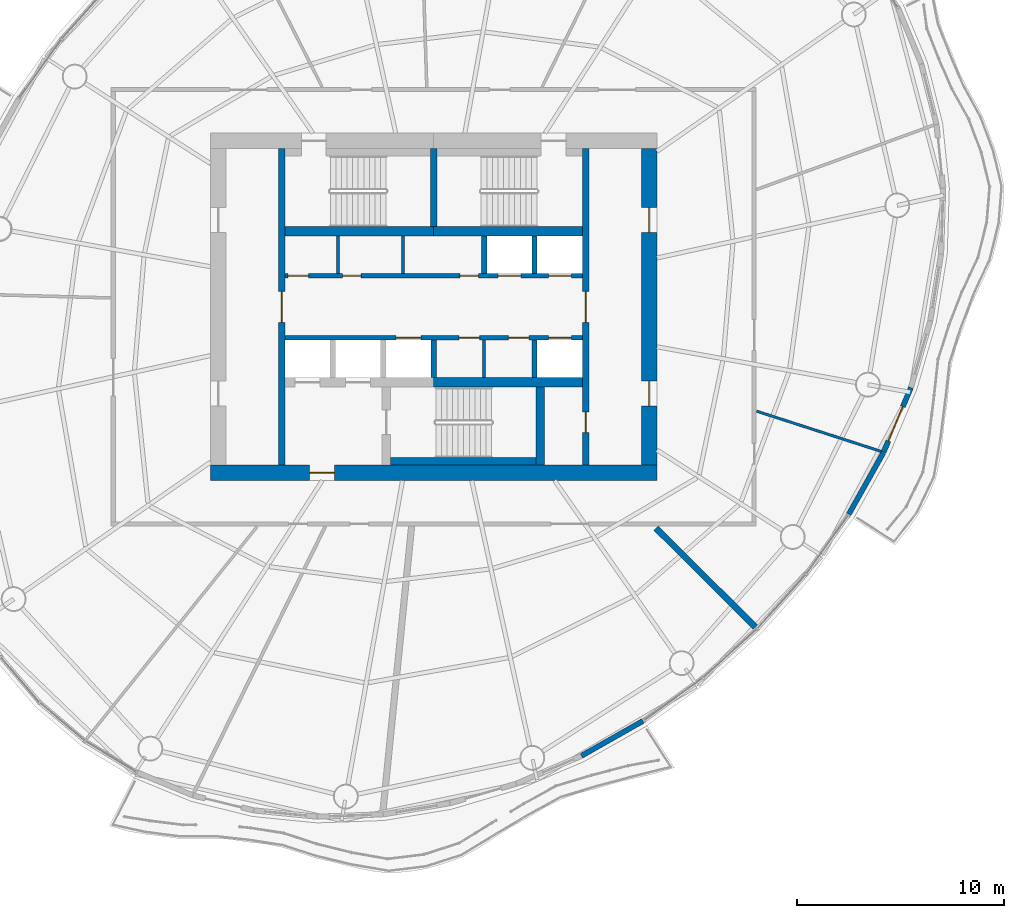
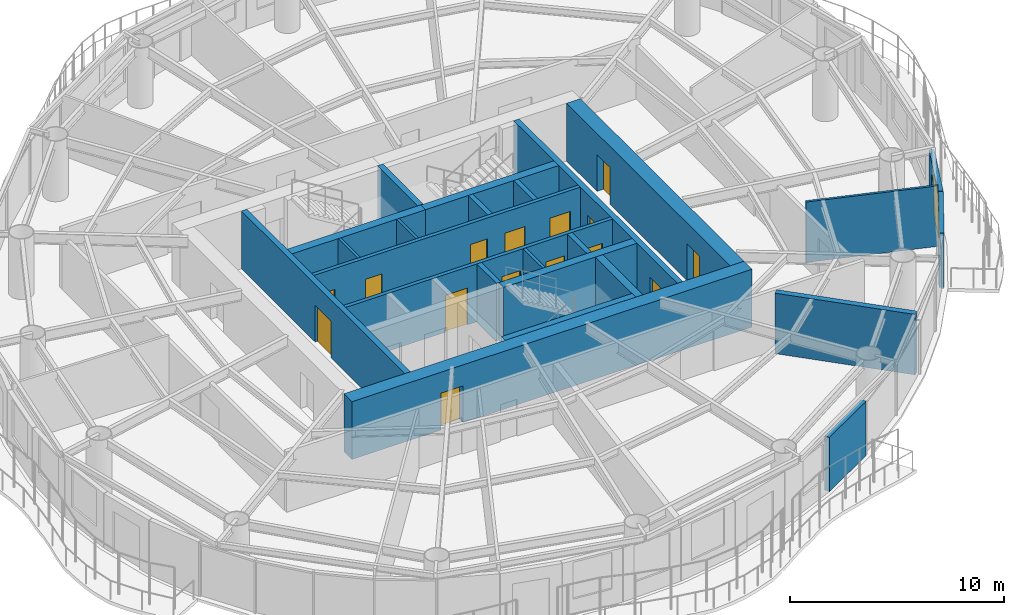
# One storey, part 9 of 14: 24 walls, 16 doors, 16 openings.
"""IFC4 building model written with IfcOpenShell, lengths in metres."""

from ifc_helpers import new_model, si_unit, direction, frame, frame_2d, origin, place, context, subcontext, project, spatial, rectangle, extrude, material, layer, layer_set, type_object, element, fill, save


model = new_model("IFC4")

# Units and contexts
model_context = context("Model", 3, precision=1e-05, world=origin(), true_north=direction((0.0, 1.0)))
body_context = subcontext(model_context, "Body", "Model", "MODEL_VIEW")
ifc_project = project(units=[si_unit("LENGTHUNIT", "METRE"), si_unit("AREAUNIT", "SQUARE_METRE"), si_unit("VOLUMEUNIT", "CUBIC_METRE"), si_unit("PLANEANGLEUNIT", "RADIAN"), si_unit("MASSUNIT", "GRAM", prefix="KILO")], contexts=[model_context])

# Site, building, storey
site_placement = place(None, origin())
site = spatial("IfcSite", under=ifc_project, at=site_placement, CompositionType="ELEMENT")
building_placement = place(site_placement, origin())
building = spatial("IfcBuilding", under=site, at=building_placement, Name="Vermilion Reach Broadcast Tower", CompositionType="ELEMENT")
storey_placement = place(building_placement, frame((0.0, 0.0, 213.699951171875)))
storey = spatial("IfcBuildingStorey", under=building, at=storey_placement, Name="L52", CompositionType="ELEMENT", Elevation=213.699951171875)

# Wall, opening, door
ifc_material_1 = material(Name="Concrete C60", Category="concrete")
ifc_layer_1 = layer(ifc_material_1, 0.300048828125)
ifc_layer_set_1 = layer_set([ifc_layer_1], Name="Core inner wall 300 mm Concrete C60")
wall_type_1 = type_object("IfcWallType", Name="Core inner wall 300 mm Concrete C60", PredefinedType="SHEAR", material=ifc_layer_set_1)
wall_1_placement = place(storey_placement, frame((-13.35009765625, 7.64990234375, 0.0), z_axis=(0.0, 0.0, 1.0), x_axis=(0.0, -1.0, 0.0)))
wall_1 = element("IfcWall", 1, at=wall_1_placement, inside=storey, type_object=wall_type_1, Name="L52 core wall ewW", PredefinedType="SHEAR", context=body_context, shape_type="SweptSolid", body=[
    extrude(rectangle(XDim=15.2998046875, YDim=0.300048828125, at=frame_2d((7.64990234375, 0.0))), origin(), (0.0, 0.0, 1.0), 3.300048828125),
])
opening_1_placement = place(wall_1_placement, frame((6.89990234375, 0.0, 0.0)))
opening_1 = element("IfcOpeningElement", 2, at=opening_1_placement, cuts=wall_1, Name="Opening D04", PredefinedType="OPENING", context=body_context, shape_type="SweptSolid", body=[
    extrude(rectangle(XDim=1.5, YDim=2.10009765625, at=frame_2d((0.75, 1.050048828125))), frame((0.0, 0.159912109375, 0.0), z_axis=(0.0, -1.0, 0.0), x_axis=(1.0, 0.0, 0.0)), (0.0, 0.0, 1.0), 0.320068359375),
])
ifc_material_2 = material(Name="Painted steel fire door", Category="steel")
door_type_1 = type_object("IfcDoorType", Name="Lift lobby door 1500 x 2100", OperationType="DOUBLE_DOOR_SINGLE_SWING", PredefinedType="NOTDEFINED", material=ifc_material_2)
door_1_placement = place(opening_1_placement, origin())
door_1 = element("IfcDoor", 3, at=door_1_placement, inside=storey, type_object=door_type_1, Name="L52 band door BW", OperationType="DOUBLE_DOOR_SINGLE_SWING", OverallHeight=2.10009765625, OverallWidth=1.5, PredefinedType="NOTDEFINED", context=body_context, shape_type="SweptSolid", body=[
    extrude(rectangle(XDim=1.5, YDim=2.10009765625, at=frame_2d((0.75, 1.050048828125))), frame((0.0, 0.02490234375, 0.0), z_axis=(0.0, -1.0, 0.0), x_axis=(1.0, 0.0, 0.0)), (0.0, 0.0, 1.0), 0.050048828125),
])
fill(opening_1, door_1)

# Wall, openings, doors
wall_2_placement = place(storey_placement, frame((1.35009765625, -7.64990234375, 0.0), z_axis=(0.0, 0.0, 1.0), x_axis=(0.0, 1.0, 0.0)))
wall_2 = element("IfcWall", 4, at=wall_2_placement, inside=storey, type_object=wall_type_1, Name="L52 core wall ewE", PredefinedType="SHEAR", context=body_context, shape_type="SweptSolid", body=[
    extrude(rectangle(XDim=15.2998046875, YDim=0.300048828125, at=frame_2d((7.64990234375, 0.0))), origin(), (0.0, 0.0, 1.0), 3.300048828125),
])
opening_2_placement = place(wall_2_placement, frame((1.56005859375, 0.0, 0.0)))
opening_2 = element("IfcOpeningElement", 5, at=opening_2_placement, cuts=wall_2, Name="Opening D05", PredefinedType="OPENING", context=body_context, shape_type="SweptSolid", body=[
    extrude(rectangle(XDim=1.0, YDim=2.10009765625, at=frame_2d((0.5, 1.050048828125))), frame((0.0, 0.159912109375, 0.0), z_axis=(0.0, -1.0, 0.0), x_axis=(1.0, 0.0, 0.0)), (0.0, 0.0, 1.0), 0.320068359375),
])
opening_3_placement = place(wall_2_placement, frame((6.89990234375, 0.0, 0.0)))
opening_3 = element("IfcOpeningElement", 6, at=opening_3_placement, cuts=wall_2, Name="Opening D04", PredefinedType="OPENING", context=body_context, shape_type="SweptSolid", body=[
    extrude(rectangle(XDim=1.5, YDim=2.10009765625, at=frame_2d((0.75, 1.050048828125))), frame((0.0, 0.159912109375, 0.0), z_axis=(0.0, -1.0, 0.0), x_axis=(1.0, 0.0, 0.0)), (0.0, 0.0, 1.0), 0.320068359375),
])
door_2_placement = place(opening_3_placement, origin())
door_2 = element("IfcDoor", 7, at=door_2_placement, inside=storey, type_object=door_type_1, Name="L52 band door BE", OperationType="DOUBLE_DOOR_SINGLE_SWING", OverallHeight=2.10009765625, OverallWidth=1.5, PredefinedType="NOTDEFINED", context=body_context, shape_type="SweptSolid", body=[
    extrude(rectangle(XDim=1.5, YDim=2.10009765625, at=frame_2d((0.75, 1.050048828125))), frame((0.0, 0.02490234375, 0.0), z_axis=(0.0, -1.0, 0.0), x_axis=(1.0, 0.0, 0.0)), (0.0, 0.0, 1.0), 0.050048828125),
])
fill(opening_3, door_2)
ifc_material_3 = material(Name="Timber door", Category="wood")
door_type_2 = type_object("IfcDoorType", Name="Room door 1000 x 2100", OperationType="NOTDEFINED", PredefinedType="NOTDEFINED", material=ifc_material_3)
door_3_placement = place(opening_2_placement, origin())
door_3 = element("IfcDoor", 8, at=door_3_placement, inside=storey, type_object=door_type_2, Name="L52 door SER", OperationType="SINGLE_SWING_LEFT", OverallHeight=2.10009765625, OverallWidth=1.0, PredefinedType="NOTDEFINED", context=body_context, shape_type="SweptSolid", body=[
    extrude(rectangle(XDim=1.0, YDim=2.10009765625, at=frame_2d((0.5, 1.050048828125))), frame((0.0, 0.02490234375, 0.0), z_axis=(0.0, -1.0, 0.0), x_axis=(1.0, 0.0, 0.0)), (0.0, 0.0, 1.0), 0.050048828125),
])
fill(opening_2, door_3)

# Walls
wall_3_placement = place(storey_placement, frame((-6.0, 3.8798828125, 0.0), z_axis=(0.0, 0.0, 1.0), x_axis=(0.0, 1.0, 0.0)))
element("IfcWall", 9, at=wall_3_placement, inside=storey, type_object=wall_type_1, Name="L52 core wall wc", PredefinedType="SHEAR", context=body_context, shape_type="SweptSolid", body=[
    extrude(rectangle(XDim=3.77001953125, YDim=0.300048828125, at=frame_2d((1.885009765625, 0.0))), origin(), (0.0, 0.0, 1.0), 3.300048828125),
])
ifc_material_4 = material(Name="Concrete C60", Category="concrete")
ifc_layer_2 = layer(ifc_material_4, 0.39990234375)
ifc_layer_set_2 = layer_set([ifc_layer_2], Name="Core inner wall 400 mm Concrete C60")
wall_type_2 = type_object("IfcWallType", Name="Core inner wall 400 mm Concrete C60", PredefinedType="SHEAR", material=ifc_layer_set_2)
wall_4_placement = place(storey_placement, frame((-0.85009765625, -3.8798828125, 0.0), z_axis=(0.0, 0.0, 1.0), x_axis=(0.0, -1.0, 0.0)))
element("IfcWall", 10, at=wall_4_placement, inside=storey, type_object=wall_type_2, Name="L52 core wall wb", PredefinedType="SHEAR", context=body_context, shape_type="SweptSolid", body=[
    extrude(rectangle(XDim=3.77001953125, YDim=0.39990234375, at=frame_2d((1.885009765625, 0.0))), origin(), (0.0, 0.0, 1.0), 3.300048828125),
])
ifc_material_5 = material(Name="Concrete C60", Category="concrete")
ifc_layer_3 = layer(ifc_material_5, 0.449951171875)
ifc_layer_set_3 = layer_set([ifc_layer_3], Name="Core inner wall 450 mm Concrete C60")
wall_type_3 = type_object("IfcWallType", Name="Core inner wall 450 mm Concrete C60", PredefinedType="SHEAR", material=ifc_layer_set_3)
for number, where, z_axis, x_axis, name in (
    (11, (-13.199951171875, 3.655029296875, 0.0), (0.0, 0.0, 1.0), (1.0, 0.0, 0.0), "L52 core wall winW"),
    (12, (-6.0, 3.655029296875, 0.0), (0.0, 0.0, 1.0), (1.0, 0.0, 0.0), "L52 core wall winE"),
    (13, (-6.0, -3.655029296875, 0.0), (0.0, 0.0, 1.0), (1.0, 0.0, 0.0), "L52 core wall wisE"),
):
    element("IfcWall", number, at=place(storey_placement, frame(where, z_axis=z_axis, x_axis=x_axis)), inside=storey, type_object=wall_type_3, Name=name, PredefinedType="SHEAR", context=body_context, shape_type="SweptSolid", body=[
        extrude(rectangle(XDim=7.199951171875, YDim=0.449951171875, at=frame_2d((3.60009765625, 0.0))), origin(), (0.0, 0.0, 1.0), 3.300048828125),
    ])

# Wall, opening, door
ifc_material_6 = material(Name="Concrete C60", Category="concrete")
ifc_layer_4 = layer(ifc_material_6, 0.75)
ifc_layer_set_4 = layer_set([ifc_layer_4], Name="Core outer wall 750 mm Concrete C60")
wall_type_4 = type_object("IfcWallType", Name="Core outer wall 750 mm Concrete C60", PredefinedType="SHEAR", material=ifc_layer_set_4)
wall_5_placement = place(storey_placement, frame((-16.800048828125, -8.02490234375, 0.0), z_axis=(0.0, 0.0, 1.0), x_axis=(1.0, 0.0, 0.0)))
wall_5 = element("IfcWall", 14, at=wall_5_placement, inside=storey, type_object=wall_type_4, Name="L52 core wall os", PredefinedType="SHEAR", context=body_context, shape_type="SweptSolid", body=[
    extrude(rectangle(XDim=21.60009765625, YDim=0.75, at=frame_2d((10.800048828125, 0.0))), origin(), (0.0, 0.0, 1.0), 3.300048828125),
])
opening_4_placement = place(wall_5_placement, frame((4.800048828125, 0.0, 0.0)))
opening_4 = element("IfcOpeningElement", 15, at=opening_4_placement, cuts=wall_5, Name="Opening D02", PredefinedType="OPENING", context=body_context, shape_type="SweptSolid", body=[
    extrude(rectangle(XDim=1.199951171875, YDim=2.10009765625, at=frame_2d((0.60009765625, 1.050048828125))), frame((0.0, 0.385009765625, 0.0), z_axis=(0.0, -1.0, 0.0), x_axis=(1.0, 0.0, 0.0)), (0.0, 0.0, 1.0), 0.77001953125),
])
ifc_material_7 = material(Name="Painted steel fire door", Category="steel")
door_type_3 = type_object("IfcDoorType", Name="Firefighting lobby door 1200 x 2100", OperationType="DOUBLE_DOOR_SINGLE_SWING", PredefinedType="NOTDEFINED", material=ifc_material_7)
door_4_placement = place(opening_4_placement, origin())
door_4 = element("IfcDoor", 16, at=door_4_placement, inside=storey, type_object=door_type_3, Name="L52 ffdoor door FFL", OperationType="DOUBLE_DOOR_SINGLE_SWING", OverallHeight=2.10009765625, OverallWidth=1.199951171875, PredefinedType="NOTDEFINED", context=body_context, shape_type="SweptSolid", body=[
    extrude(rectangle(XDim=1.199951171875, YDim=2.10009765625, at=frame_2d((0.60009765625, 1.050048828125))), frame((0.0, 0.02490234375, 0.0), z_axis=(0.0, -1.0, 0.0), x_axis=(1.0, 0.0, 0.0)), (0.0, 0.0, 1.0), 0.050048828125),
])
fill(opening_4, door_4)

# Wall, openings, doors
wall_6_placement = place(storey_placement, frame((4.425048828125, -7.64990234375, 0.0), z_axis=(0.0, 0.0, 1.0), x_axis=(0.0, 1.0, 0.0)))
wall_6 = element("IfcWall", 17, at=wall_6_placement, inside=storey, type_object=wall_type_4, Name="L52 core wall oe", PredefinedType="SHEAR", context=body_context, shape_type="SweptSolid", body=[
    extrude(rectangle(XDim=15.2998046875, YDim=0.75, at=frame_2d((7.64990234375, 0.0))), origin(), (0.0, 0.0, 1.0), 3.300048828125),
])
opening_5_placement = place(wall_6_placement, frame((2.85009765625, 0.0, 0.0)))
opening_5 = element("IfcOpeningElement", 18, at=opening_5_placement, cuts=wall_6, Name="Opening D03", PredefinedType="OPENING", context=body_context, shape_type="SweptSolid", body=[
    extrude(rectangle(XDim=1.199951171875, YDim=2.10009765625, at=frame_2d((0.60009765625, 1.050048828125))), frame((0.0, 0.385009765625, 0.0), z_axis=(0.0, -1.0, 0.0), x_axis=(1.0, 0.0, 0.0)), (0.0, 0.0, 1.0), 0.77001953125),
])
opening_6_placement = place(wall_6_placement, frame((11.25, 0.0, 0.0)))
opening_6 = element("IfcOpeningElement", 19, at=opening_6_placement, cuts=wall_6, Name="Opening D03", PredefinedType="OPENING", context=body_context, shape_type="SweptSolid", body=[
    extrude(rectangle(XDim=1.199951171875, YDim=2.10009765625, at=frame_2d((0.60009765625, 1.050048828125))), frame((0.0, 0.385009765625, 0.0), z_axis=(0.0, -1.0, 0.0), x_axis=(1.0, 0.0, 0.0)), (0.0, 0.0, 1.0), 0.77001953125),
])
ifc_material_8 = material(Name="Painted steel fire door", Category="steel")
door_type_4 = type_object("IfcDoorType", Name="Core lobby door 1200 x 2100", OperationType="DOUBLE_DOOR_SINGLE_SWING", PredefinedType="NOTDEFINED", material=ifc_material_8)
door_5_placement = place(opening_5_placement, origin())
door_5 = element("IfcDoor", 20, at=door_5_placement, inside=storey, type_object=door_type_4, Name="L52 slot door E0", OperationType="DOUBLE_DOOR_SINGLE_SWING", OverallHeight=2.10009765625, OverallWidth=1.199951171875, PredefinedType="NOTDEFINED", context=body_context, shape_type="SweptSolid", body=[
    extrude(rectangle(XDim=1.199951171875, YDim=2.10009765625, at=frame_2d((0.60009765625, 1.050048828125))), frame((0.0, 0.02490234375, 0.0), z_axis=(0.0, -1.0, 0.0), x_axis=(1.0, 0.0, 0.0)), (0.0, 0.0, 1.0), 0.050048828125),
])
fill(opening_5, door_5)
door_6_placement = place(opening_6_placement, origin())
door_6 = element("IfcDoor", 21, at=door_6_placement, inside=storey, type_object=door_type_4, Name="L52 slot door E1", OperationType="DOUBLE_DOOR_SINGLE_SWING", OverallHeight=2.10009765625, OverallWidth=1.199951171875, PredefinedType="NOTDEFINED", context=body_context, shape_type="SweptSolid", body=[
    extrude(rectangle(XDim=1.199951171875, YDim=2.10009765625, at=frame_2d((0.60009765625, 1.050048828125))), frame((0.0, 0.02490234375, 0.0), z_axis=(0.0, -1.0, 0.0), x_axis=(1.0, 0.0, 0.0)), (0.0, 0.0, 1.0), 0.050048828125),
])
fill(opening_6, door_6)

# Walls
ifc_material_9 = material(Name="Masonry block", Category="masonry")
ifc_layer_5 = layer(ifc_material_9, 0.14990234375)
ifc_layer_set_5 = layer_set([ifc_layer_5], Name="Core partition wall 150 mm Masonry block")
wall_type_5 = type_object("IfcWallType", Name="Core partition wall 150 mm Masonry block", PredefinedType="PARTITIONING", material=ifc_layer_set_5)
for number, where, z_axis, x_axis, name in (
    (22, (-10.630615234375, 1.60009765625, 0.0), (0.0, 0.0, 1.0), (0.0, 1.0, 0.0), "L52 core wall prN-4630"),
    (23, (-7.489990234375, 1.60009765625, 0.0), (0.0, 0.0, 1.0), (0.0, 1.0, 0.0), "L52 core wall prN-1490"),
    (24, (-3.558349609375, -1.60009765625, 0.0), (0.0, 0.0, 1.0), (0.0, -1.0, 0.0), "L52 core wall prS2442"),
):
    element("IfcWall", number, at=place(storey_placement, frame(where, z_axis=z_axis, x_axis=x_axis)), inside=storey, type_object=wall_type_5, Name=name, PredefinedType="PARTITIONING", context=body_context, shape_type="SweptSolid", body=[
        extrude(rectangle(XDim=1.829833984375, YDim=0.14990234375, at=frame_2d((0.9150390625, 0.0))), origin(), (0.0, 0.0, 1.0), 3.300048828125),
    ])

# Wall, openings, doors
ifc_material_10 = material(Name="Concrete C50", Category="concrete")
ifc_layer_6 = layer(ifc_material_10, 0.199951171875)
ifc_layer_set_6 = layer_set([ifc_layer_6], Name="Core shaft wall 200 mm Concrete C50")
wall_type_6 = type_object("IfcWallType", Name="Core shaft wall 200 mm Concrete C50", PredefinedType="SHEAR", material=ifc_layer_set_6)
wall_7_placement = place(storey_placement, frame((-13.199951171875, 1.5, 0.0), z_axis=(0.0, 0.0, 1.0), x_axis=(1.0, 0.0, 0.0)))
wall_7 = element("IfcWall", 25, at=wall_7_placement, inside=storey, type_object=wall_type_6, Name="L52 core wall fn", PredefinedType="SHEAR", context=body_context, shape_type="SweptSolid", body=[
    extrude(rectangle(XDim=14.39990234375, YDim=0.199951171875, at=frame_2d((7.199951171875, 0.0))), origin(), (0.0, 0.0, 1.0), 3.300048828125),
])
opening_7_placement = place(wall_7_placement, frame((10.3125, 0.0, 0.0)))
opening_7 = element("IfcOpeningElement", 26, at=opening_7_placement, cuts=wall_7, Name="Opening LD2", PredefinedType="OPENING", context=body_context, shape_type="SweptSolid", body=[
    extrude(rectangle(XDim=1.10009765625, YDim=2.10009765625, at=frame_2d((0.550048828125, 1.050048828125))), frame((0.0, 0.10986328125, 0.0), z_axis=(0.0, -1.0, 0.0), x_axis=(1.0, 0.0, 0.0)), (0.0, 0.0, 1.0), 0.219970703125),
])
opening_8_placement = place(wall_7_placement, frame((12.754150390625, 0.0, 0.0)))
opening_8 = element("IfcOpeningElement", 27, at=opening_8_placement, cuts=wall_7, Name="Opening LD2", PredefinedType="OPENING", context=body_context, shape_type="SweptSolid", body=[
    extrude(rectangle(XDim=1.10009765625, YDim=2.10009765625, at=frame_2d((0.550048828125, 1.050048828125))), frame((0.0, 0.10986328125, 0.0), z_axis=(0.0, -1.0, 0.0), x_axis=(1.0, 0.0, 0.0)), (0.0, 0.0, 1.0), 0.219970703125),
])
opening_9_placement = place(wall_7_placement, frame((0.14990234375, 0.0, 0.0)))
opening_9 = element("IfcOpeningElement", 28, at=opening_9_placement, cuts=wall_7, Name="Opening D07", PredefinedType="OPENING", context=body_context, shape_type="SweptSolid", body=[
    extrude(rectangle(XDim=1.0, YDim=2.10009765625, at=frame_2d((0.5, 1.050048828125))), frame((0.0, 0.10986328125, 0.0), z_axis=(0.0, -1.0, 0.0), x_axis=(1.0, 0.0, 0.0)), (0.0, 0.0, 1.0), 0.219970703125),
])
opening_10_placement = place(wall_7_placement, frame((2.79443359375, 0.0, 0.0)))
opening_10 = element("IfcOpeningElement", 29, at=opening_10_placement, cuts=wall_7, Name="Opening D06", PredefinedType="OPENING", context=body_context, shape_type="SweptSolid", body=[
    extrude(rectangle(XDim=0.89990234375, YDim=2.10009765625, at=frame_2d((0.449951171875, 1.050048828125))), frame((0.0, 0.10986328125, 0.0), z_axis=(0.0, -1.0, 0.0), x_axis=(1.0, 0.0, 0.0)), (0.0, 0.0, 1.0), 0.219970703125),
])
opening_11_placement = place(wall_7_placement, frame((8.466552734375, 0.0, 0.0)))
opening_11 = element("IfcOpeningElement", 30, at=opening_11_placement, cuts=wall_7, Name="Opening D06", PredefinedType="OPENING", context=body_context, shape_type="SweptSolid", body=[
    extrude(rectangle(XDim=0.89990234375, YDim=2.10009765625, at=frame_2d((0.449951171875, 1.050048828125))), frame((0.0, 0.10986328125, 0.0), z_axis=(0.0, -1.0, 0.0), x_axis=(1.0, 0.0, 0.0)), (0.0, 0.0, 1.0), 0.219970703125),
])
ifc_material_11 = material(Name="Timber door", Category="wood")
door_type_5 = type_object("IfcDoorType", Name="Accessible WC door 1000 x 2100", OperationType="NOTDEFINED", PredefinedType="NOTDEFINED", material=ifc_material_11)
door_7_placement = place(opening_9_placement, origin())
door_7 = element("IfcDoor", 31, at=door_7_placement, inside=storey, type_object=door_type_5, Name="L52 door Accessible WC", OperationType="SINGLE_SWING_LEFT", OverallHeight=2.10009765625, OverallWidth=1.0, PredefinedType="NOTDEFINED", context=body_context, shape_type="SweptSolid", body=[
    extrude(rectangle(XDim=1.0, YDim=2.10009765625, at=frame_2d((0.5, 1.050048828125))), frame((0.0, 0.02490234375, 0.0), z_axis=(0.0, -1.0, 0.0), x_axis=(1.0, 0.0, 0.0)), (0.0, 0.0, 1.0), 0.050048828125),
])
fill(opening_9, door_7)
ifc_material_12 = material(Name="Stainless steel", Category="steel")
door_type_6 = type_object("IfcDoorType", Name="Landing door 1100 x 2100", OperationType="DOUBLE_DOOR_SLIDING", PredefinedType="NOTDEFINED", material=ifc_material_12)
door_8_placement = place(opening_7_placement, origin())
door_8 = element("IfcDoor", 32, at=door_8_placement, inside=storey, type_object=door_type_6, Name="L52 landing door HR1", OperationType="DOUBLE_DOOR_SLIDING", OverallHeight=2.10009765625, OverallWidth=1.10009765625, PredefinedType="NOTDEFINED", context=body_context, shape_type="SweptSolid", body=[
    extrude(rectangle(XDim=1.10009765625, YDim=2.10009765625, at=frame_2d((0.550048828125, 1.050048828125))), frame((0.0, 0.02490234375, 0.0), z_axis=(0.0, -1.0, 0.0), x_axis=(1.0, 0.0, 0.0)), (0.0, 0.0, 1.0), 0.050048828125),
])
fill(opening_7, door_8)
door_9_placement = place(opening_8_placement, origin())
door_9 = element("IfcDoor", 33, at=door_9_placement, inside=storey, type_object=door_type_6, Name="L52 landing door HR2", OperationType="DOUBLE_DOOR_SLIDING", OverallHeight=2.10009765625, OverallWidth=1.10009765625, PredefinedType="NOTDEFINED", context=body_context, shape_type="SweptSolid", body=[
    extrude(rectangle(XDim=1.10009765625, YDim=2.10009765625, at=frame_2d((0.550048828125, 1.050048828125))), frame((0.0, 0.02490234375, 0.0), z_axis=(0.0, -1.0, 0.0), x_axis=(1.0, 0.0, 0.0)), (0.0, 0.0, 1.0), 0.050048828125),
])
fill(opening_8, door_9)
ifc_material_13 = material(Name="Timber door", Category="wood")
door_type_7 = type_object("IfcDoorType", Name="WC door 900 x 2100", OperationType="NOTDEFINED", PredefinedType="NOTDEFINED", material=ifc_material_13)
door_10_placement = place(opening_10_placement, origin())
door_10 = element("IfcDoor", 34, at=door_10_placement, inside=storey, type_object=door_type_7, Name="L52 door Male WC", OperationType="SINGLE_SWING_LEFT", OverallHeight=2.10009765625, OverallWidth=0.89990234375, PredefinedType="NOTDEFINED", context=body_context, shape_type="SweptSolid", body=[
    extrude(rectangle(XDim=0.89990234375, YDim=2.10009765625, at=frame_2d((0.449951171875, 1.050048828125))), frame((0.0, 0.02490234375, 0.0), z_axis=(0.0, -1.0, 0.0), x_axis=(1.0, 0.0, 0.0)), (0.0, 0.0, 1.0), 0.050048828125),
])
fill(opening_10, door_10)
door_11_placement = place(opening_11_placement, origin())
door_11 = element("IfcDoor", 35, at=door_11_placement, inside=storey, type_object=door_type_7, Name="L52 door Female WC", OperationType="SINGLE_SWING_RIGHT", OverallHeight=2.10009765625, OverallWidth=0.89990234375, PredefinedType="NOTDEFINED", context=body_context, shape_type="SweptSolid", body=[
    extrude(rectangle(XDim=0.89990234375, YDim=2.10009765625, at=frame_2d((0.449951171875, 1.050048828125))), frame((0.0, 0.02490234375, 0.0), z_axis=(0.0, -1.0, 0.0), x_axis=(1.0, 0.0, 0.0)), (0.0, 0.0, 1.0), 0.050048828125),
])
fill(opening_11, door_11)

wall_8_placement = place(storey_placement, frame((1.199951171875, -1.5, 0.0), z_axis=(0.0, 0.0, 1.0), x_axis=(-1.0, 0.0, 0.0)))
wall_8 = element("IfcWall", 36, at=wall_8_placement, inside=storey, type_object=wall_type_6, Name="L52 core wall fs", PredefinedType="SHEAR", context=body_context, shape_type="SweptSolid", body=[
    extrude(rectangle(XDim=14.39990234375, YDim=0.199951171875, at=frame_2d((7.199951171875, 0.0))), origin(), (0.0, 0.0, 1.0), 3.300048828125),
])
opening_12_placement = place(wall_8_placement, frame((7.82080078125, 0.0, 0.0)))
opening_12 = element("IfcOpeningElement", 37, at=opening_12_placement, cuts=wall_8, Name="Opening LD1", PredefinedType="OPENING", context=body_context, shape_type="SweptSolid", body=[
    extrude(rectangle(XDim=1.199951171875, YDim=2.10009765625, at=frame_2d((0.60009765625, 1.050048828125))), frame((0.0, 0.10986328125, 0.0), z_axis=(0.0, -1.0, 0.0), x_axis=(1.0, 0.0, 0.0)), (0.0, 0.0, 1.0), 0.219970703125),
])
opening_13_placement = place(wall_8_placement, frame((0.5458984375, 0.0, 0.0)))
opening_13 = element("IfcOpeningElement", 38, at=opening_13_placement, cuts=wall_8, Name="Opening LD2", PredefinedType="OPENING", context=body_context, shape_type="SweptSolid", body=[
    extrude(rectangle(XDim=1.10009765625, YDim=2.10009765625, at=frame_2d((0.550048828125, 1.050048828125))), frame((0.0, 0.10986328125, 0.0), z_axis=(0.0, -1.0, 0.0), x_axis=(1.0, 0.0, 0.0)), (0.0, 0.0, 1.0), 0.219970703125),
])
opening_14_placement = place(wall_8_placement, frame((4.9833984375, 0.0, 0.0)))
opening_14 = element("IfcOpeningElement", 39, at=opening_14_placement, cuts=wall_8, Name="Opening D10", PredefinedType="OPENING", context=body_context, shape_type="SweptSolid", body=[
    extrude(rectangle(XDim=1.0, YDim=2.10009765625, at=frame_2d((0.5, 1.050048828125))), frame((0.0, 0.10986328125, 0.0), z_axis=(0.0, -1.0, 0.0), x_axis=(1.0, 0.0, 0.0)), (0.0, 0.0, 1.0), 0.219970703125),
])
opening_15_placement = place(wall_8_placement, frame((2.591552734375, 0.0, 0.0)))
opening_15 = element("IfcOpeningElement", 40, at=opening_15_placement, cuts=wall_8, Name="Opening D11", PredefinedType="OPENING", context=body_context, shape_type="SweptSolid", body=[
    extrude(rectangle(XDim=1.0, YDim=2.10009765625, at=frame_2d((0.5, 1.050048828125))), frame((0.0, 0.10986328125, 0.0), z_axis=(0.0, -1.0, 0.0), x_axis=(1.0, 0.0, 0.0)), (0.0, 0.0, 1.0), 0.219970703125),
])
door_12_placement = place(opening_13_placement, origin())
door_12 = element("IfcDoor", 41, at=door_12_placement, inside=storey, type_object=door_type_6, Name="L52 landing door HR3", OperationType="DOUBLE_DOOR_SLIDING", OverallHeight=2.10009765625, OverallWidth=1.10009765625, PredefinedType="NOTDEFINED", context=body_context, shape_type="SweptSolid", body=[
    extrude(rectangle(XDim=1.10009765625, YDim=2.10009765625, at=frame_2d((0.550048828125, 1.050048828125))), frame((0.0, 0.02490234375, 0.0), z_axis=(0.0, -1.0, 0.0), x_axis=(1.0, 0.0, 0.0)), (0.0, 0.0, 1.0), 0.050048828125),
])
fill(opening_13, door_12)
ifc_material_14 = material(Name="Stainless steel", Category="steel")
door_type_8 = type_object("IfcDoorType", Name="Landing door 1200 x 2100", OperationType="DOUBLE_DOOR_SLIDING", PredefinedType="NOTDEFINED", material=ifc_material_14)
door_13_placement = place(opening_12_placement, origin())
door_13 = element("IfcDoor", 42, at=door_13_placement, inside=storey, type_object=door_type_8, Name="L52 landing door SV1", OperationType="DOUBLE_DOOR_SLIDING", OverallHeight=2.10009765625, OverallWidth=1.199951171875, PredefinedType="NOTDEFINED", context=body_context, shape_type="SweptSolid", body=[
    extrude(rectangle(XDim=1.199951171875, YDim=2.10009765625, at=frame_2d((0.60009765625, 1.050048828125))), frame((0.0, 0.02490234375, 0.0), z_axis=(0.0, -1.0, 0.0), x_axis=(1.0, 0.0, 0.0)), (0.0, 0.0, 1.0), 0.050048828125),
])
fill(opening_12, door_13)
ifc_material_15 = material(Name="Painted steel fire door", Category="steel")
door_type_9 = type_object("IfcDoorType", Name="Services room door 1000 x 2100", OperationType="NOTDEFINED", PredefinedType="NOTDEFINED", material=ifc_material_15)
door_14_placement = place(opening_15_placement, origin())
door_14 = element("IfcDoor", 43, at=door_14_placement, inside=storey, type_object=door_type_9, Name="L52 door Electrical room", OperationType="SINGLE_SWING_LEFT", OverallHeight=2.10009765625, OverallWidth=1.0, PredefinedType="NOTDEFINED", context=body_context, shape_type="SweptSolid", body=[
    extrude(rectangle(XDim=1.0, YDim=2.10009765625, at=frame_2d((0.5, 1.050048828125))), frame((0.0, 0.02490234375, 0.0), z_axis=(0.0, -1.0, 0.0), x_axis=(1.0, 0.0, 0.0)), (0.0, 0.0, 1.0), 0.050048828125),
])
fill(opening_15, door_14)
ifc_material_16 = material(Name="Timber door", Category="wood")
door_type_10 = type_object("IfcDoorType", Name="WC lobby door 1000 x 2100", OperationType="NOTDEFINED", PredefinedType="NOTDEFINED", material=ifc_material_16)
door_15_placement = place(opening_14_placement, origin())
door_15 = element("IfcDoor", 44, at=door_15_placement, inside=storey, type_object=door_type_10, Name="L52 door WC lobby", OperationType="SINGLE_SWING_LEFT", OverallHeight=2.10009765625, OverallWidth=1.0, PredefinedType="NOTDEFINED", context=body_context, shape_type="SweptSolid", body=[
    extrude(rectangle(XDim=1.0, YDim=2.10009765625, at=frame_2d((0.5, 1.050048828125))), frame((0.0, 0.02490234375, 0.0), z_axis=(0.0, -1.0, 0.0), x_axis=(1.0, 0.0, 0.0)), (0.0, 0.0, 1.0), 0.050048828125),
])
fill(opening_14, door_15)

# Walls
ifc_material_17 = material(Name="Concrete C50", Category="concrete")
ifc_layer_7 = layer(ifc_material_17, 0.25)
ifc_layer_set_7 = layer_set([ifc_layer_7], Name="Core shaft wall 250 mm Concrete C50")
wall_type_7 = type_object("IfcWallType", Name="Core shaft wall 250 mm Concrete C50", PredefinedType="SHEAR", material=ifc_layer_set_7)
for number, where, z_axis, x_axis, name in (
    (45, (-3.558349609375, 1.60009765625, 0.0), (0.0, 0.0, 1.0), (0.0, 1.0, 0.0), "L52 core wall psN3"),
    (46, (-1.11669921875, 1.60009765625, 0.0), (0.0, 0.0, 1.0), (0.0, 1.0, 0.0), "L52 core wall psN4"),
    (47, (-6.0, -1.60009765625, 0.0), (0.0, 0.0, 1.0), (0.0, -1.0, 0.0), "L52 core wall psS2"),
    (48, (-1.11669921875, -1.60009765625, 0.0), (0.0, 0.0, 1.0), (0.0, -1.0, 0.0), "L52 core wall psS4"),
):
    element("IfcWall", number, at=place(storey_placement, frame(where, z_axis=z_axis, x_axis=x_axis)), inside=storey, type_object=wall_type_7, Name=name, PredefinedType="SHEAR", context=body_context, shape_type="SweptSolid", body=[
        extrude(rectangle(XDim=1.829833984375, YDim=0.25, at=frame_2d((0.9150390625, 0.0))), origin(), (0.0, 0.0, 1.0), 3.300048828125),
    ])
ifc_material_18 = material(Name="Concrete C60", Category="concrete")
ifc_layer_8 = layer(ifc_material_18, 0.35009765625)
ifc_layer_set_8 = layer_set([ifc_layer_8], Name="Core stair wall 350 mm Concrete C60")
wall_type_8 = type_object("IfcWallType", Name="Core stair wall 350 mm Concrete C60", PredefinedType="SHEAR", material=ifc_layer_set_8)
wall_9_placement = place(storey_placement, frame((-8.10009765625, -7.47509765625, 0.0), z_axis=(0.0, 0.0, 1.0), x_axis=(1.0, 0.0, 0.0)))
element("IfcWall", 49, at=wall_9_placement, inside=storey, type_object=wall_type_8, Name="L52 core wall l3", PredefinedType="SHEAR", context=body_context, shape_type="SweptSolid", body=[
    extrude(rectangle(XDim=7.050048828125, YDim=0.35009765625, at=frame_2d((3.52490234375, 0.0))), origin(), (0.0, 0.0, 1.0), 3.300048828125),
])
ifc_material_19 = material(Name="Fire-rated plasterboard on steel stud", Category="steel")
ifc_layer_9 = layer(ifc_material_19, 0.125)
ifc_layer_set_9 = layer_set([ifc_layer_9], Name="Partition 125 fire-rated stud")
wall_type_9 = type_object("IfcWallType", Name="Partition 125 fire-rated stud", PredefinedType="PARTITIONING", material=ifc_layer_set_9)
wall_10_placement = place(storey_placement, frame((15.6416015625, -6.995849609375, 0.0), z_axis=(0.0, 0.0, 1.0), x_axis=(-0.951521574536, 0.307582010514, 0.0)))
element("IfcWall", 50, at=wall_10_placement, inside=storey, type_object=wall_type_9, Name="Partition 52.09", PredefinedType="PARTITIONING", context=body_context, shape_type="SweptSolid", body=[
    extrude(rectangle(XDim=6.329345703125, YDim=0.125, at=frame_2d((3.16455078125, 0.0))), origin(), (0.0, 0.0, 1.0), 3.449951171875),
])
ifc_material_20 = material(Name="Double-leaf plasterboard on isolated steel stud", Category="steel")
ifc_layer_10 = layer(ifc_material_20, 0.300048828125)
ifc_layer_set_10 = layer_set([ifc_layer_10], Name="Partition 300 acoustic double leaf")
wall_type_10 = type_object("IfcWallType", Name="Partition 300 acoustic double leaf", PredefinedType="PARTITIONING", material=ifc_layer_set_10)
wall_11_placement = place(storey_placement, frame((9.554931640625, -15.489990234375, 0.0), z_axis=(0.0, 0.0, 1.0), x_axis=(-0.708581751717, 0.705628727543, 0.0)))
element("IfcWall", 51, at=wall_11_placement, inside=storey, type_object=wall_type_10, Name="Partition 52.08", PredefinedType="PARTITIONING", context=body_context, shape_type="SweptSolid", body=[
    extrude(rectangle(XDim=6.779296875, YDim=0.300048828125, at=frame_2d((3.3896484375, 0.0))), origin(), (0.0, 0.0, 1.0), 3.449951171875),
])
ifc_material_21 = material(Name="Terracotta rainscreen cladding", Category="masonry")
ifc_layer_11 = layer(ifc_material_21, 0.25)
ifc_layer_set_11 = layer_set([ifc_layer_11], Name="Terracotta rainscreen wall 250")
wall_type_11 = type_object("IfcWallType", Name="Terracotta rainscreen wall 250", PredefinedType="SOLIDWALL", material=ifc_layer_set_11)
for number, where, z_axis, x_axis, name in (
    (52, (1.151611328125, -21.718505859375, 0.0), (0.0, 0.0, 1.0), (0.869705841478, 0.493570409666, 0.0), "External wall L52 33"),
    (53, (14.076904296875, -10.03466796875, 0.0), (0.0, 0.0, 1.0), (0.489914644591, 0.871770406136, 0.0), "External wall L52 38"),
):
    element("IfcWall", number, at=place(storey_placement, frame(where, z_axis=z_axis, x_axis=x_axis)), inside=storey, type_object=wall_type_11, Name=name, PredefinedType="SOLIDWALL", context=body_context, shape_type="SweptSolid", body=[
        extrude(rectangle(XDim=3.41162109375, YDim=0.25, at=frame_2d((1.705810546875, 0.0))), origin(), (0.0, 0.0, 1.0), 3.10009765625),
    ])

# Wall, opening, door
wall_12_placement = place(storey_placement, frame((15.758056640625, -7.040771484375, 0.0), z_axis=(0.0, 0.0, 1.0), x_axis=(0.388763390527, 0.921337628769, 0.0)))
wall_12 = element("IfcWall", 54, at=wall_12_placement, inside=storey, type_object=wall_type_11, Name="External wall L52 39", PredefinedType="SOLIDWALL", context=body_context, shape_type="SweptSolid", body=[
    extrude(rectangle(XDim=3.398681640625, YDim=0.25, at=frame_2d((1.69921875, 0.0))), origin(), (0.0, 0.0, 1.0), 3.10009765625),
])
opening_16_placement = place(wall_12_placement, frame((0.59912109375, 0.0, 0.0)))
opening_16 = element("IfcOpeningElement", 55, at=opening_16_placement, cuts=wall_12, Name="Opening D70", PredefinedType="OPENING", context=body_context, shape_type="SweptSolid", body=[
    extrude(rectangle(XDim=1.800048828125, YDim=2.39990234375, at=frame_2d((0.89990234375, 1.199951171875))), frame((0.0, 0.135009765625, 0.0), z_axis=(0.0, -1.0, 0.0), x_axis=(1.0, 0.0, 0.0)), (0.0, 0.0, 1.0), 0.27001953125),
])
ifc_material_22 = material(Name="Low-e laminated clear glass in aluminium frame", Category="aluminium")
door_type_11 = type_object("IfcDoorType", Name="Balcony sliding door 1800 x 2400", OperationType="DOUBLE_DOOR_SLIDING", PredefinedType="DOOR", material=ifc_material_22)
door_16_placement = place(opening_16_placement, origin())
door_16 = element("IfcDoor", 56, at=door_16_placement, inside=storey, type_object=door_type_11, Name="Balcony door L52 run 10", OperationType="DOUBLE_DOOR_SLIDING", OverallHeight=2.39990234375, OverallWidth=1.800048828125, PredefinedType="DOOR", context=body_context, shape_type="SweptSolid", body=[
    extrude(rectangle(XDim=1.800048828125, YDim=2.39990234375, at=frame_2d((0.89990234375, 1.199951171875))), frame((0.0, 0.02490234375, 0.0), z_axis=(0.0, -1.0, 0.0), x_axis=(1.0, 0.0, 0.0)), (0.0, 0.0, 1.0), 0.050048828125),
])
fill(opening_16, door_16)

save(model, "model.ifc")
